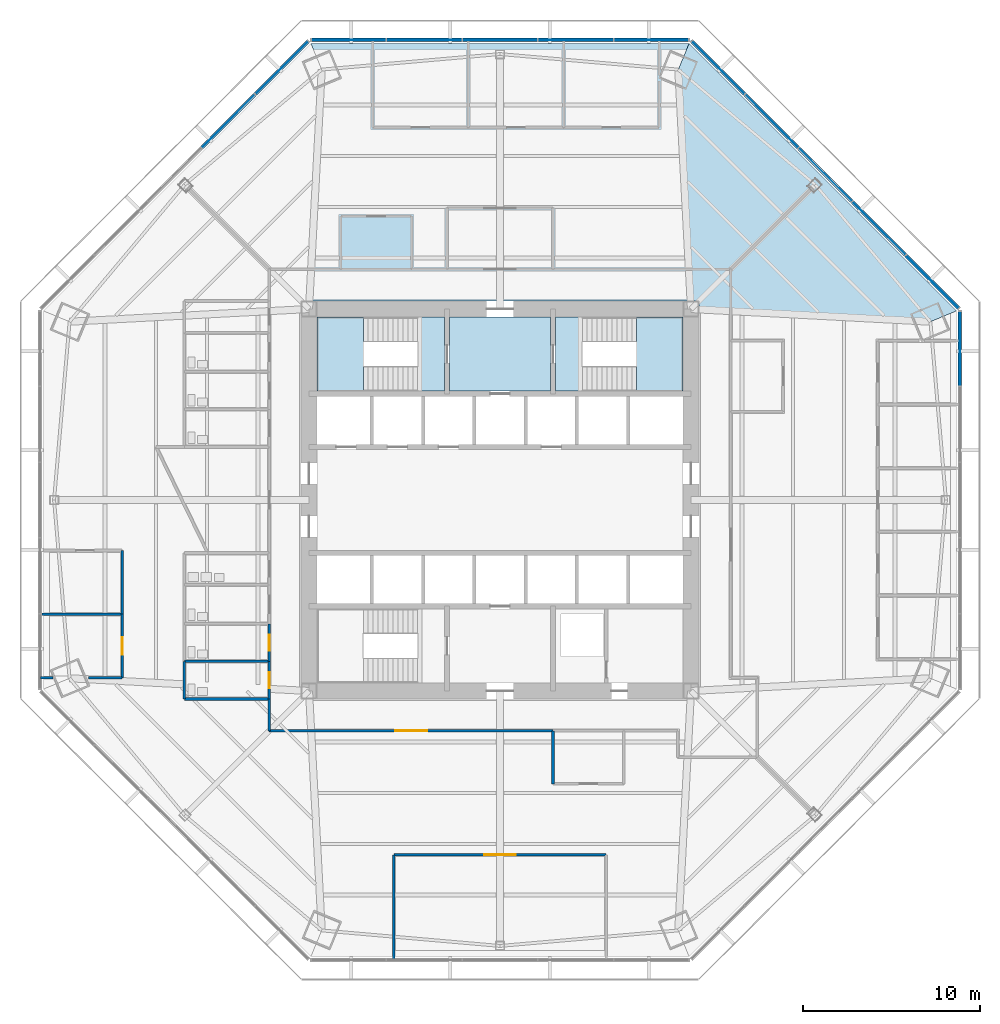
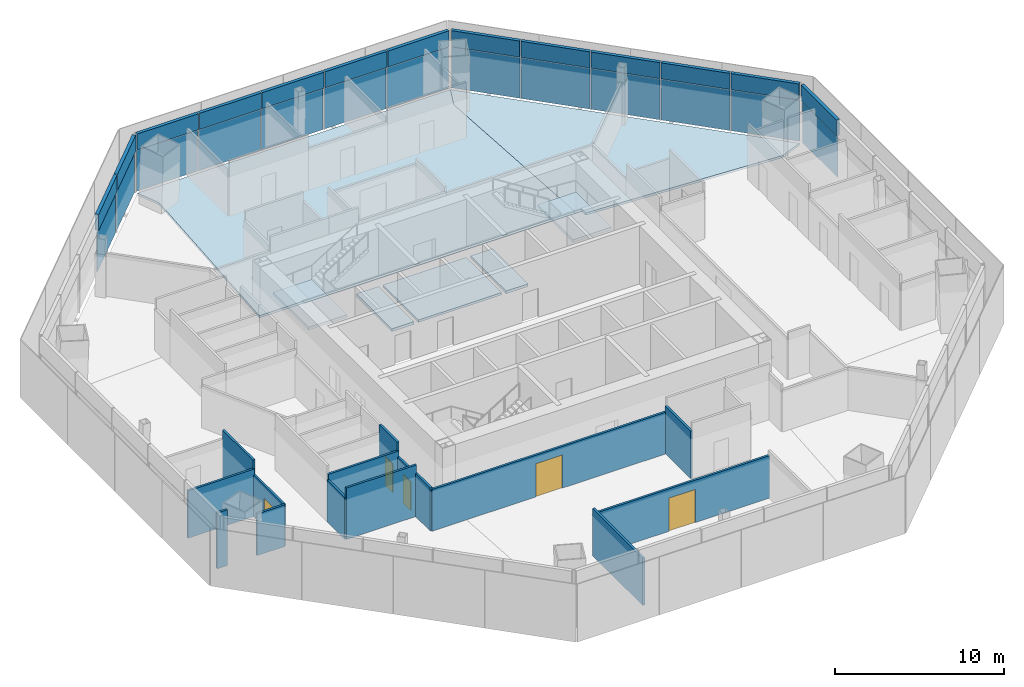
# One storey, part 8 of 15: 26 plates, 15 walls, 7 slabs, 5 doors, 5 openings, 6 elements without a shape of their own.
"""IFC4 building model written with IfcOpenShell, lengths in metres."""

from ifc_helpers import new_model, si_unit, direction, frame, frame_2d, origin, origin_2d, place, context, subcontext, project, spatial, polyline, rectangle, outline, extrude, source, transform, mapped, material, layer, layer_set, type_object, type_shapes, element, fill, aggregate, save


model = new_model("IFC4")

# Units and contexts
model_context = context("Model", 3, precision=1e-05, world=origin(), true_north=direction((0.0, 1.0)))
body_context = subcontext(model_context, "Body", "Model", "MODEL_VIEW")
ifc_project = project(units=[si_unit("LENGTHUNIT", "METRE"), si_unit("AREAUNIT", "SQUARE_METRE"), si_unit("VOLUMEUNIT", "CUBIC_METRE"), si_unit("PLANEANGLEUNIT", "RADIAN"), si_unit("MASSUNIT", "GRAM", prefix="KILO")], contexts=[model_context])

# Site, building, storey
site_placement = place(None, origin())
site = spatial("IfcSite", under=ifc_project, at=site_placement, CompositionType="ELEMENT")
building_placement = place(site_placement, origin())
building = spatial("IfcBuilding", under=site, at=building_placement, Name="Mashrafa Tower", CompositionType="ELEMENT")
storey_placement = place(building_placement, frame((0.0, 0.0, 70.800048828125)))
storey = spatial("IfcBuildingStorey", under=building, at=storey_placement, Name="L15", CompositionType="ELEMENT", Elevation=70.800048828125)

# Slabs
ifc_material_1 = material(Name="Concrete C35/45", Category="concrete")
ifc_layer_1 = layer(ifc_material_1, 0.1650390625)
ifc_layer_set_1 = layer_set([ifc_layer_1], Name="Floor slab 165")
slab_type_1 = type_object("IfcSlabType", Name="Floor slab 165", PredefinedType="FLOOR", material=ifc_layer_set_1)
slab_1_placement = place(storey_placement, frame((0.0, 0.0, -0.1650390625)))
element("IfcSlab", 1, at=slab_1_placement, inside=storey, type_object=slab_type_1, Name="Floor slab L15 north-east bay", PredefinedType="FLOOR", context=body_context, shape_type="SweptSolid", body=[
    extrude(outline(polyline([(25.811767578125, 10.691650390625), (24.33837890625, 10.081298828125), (11.25, 10.776123046875), (11.25, 11.25), (10.776123046875, 11.25), (10.081298828125, 24.33837890625), (10.691650390625, 25.811767578125), (25.811767578125, 10.691650390625)])), origin(), (0.0, 0.0, 1.0), 0.1650390625),
])
slab_2_placement = place(storey_placement, frame((0.0, 0.0, -0.1650390625)))
element("IfcSlab", 2, at=slab_2_placement, inside=storey, type_object=slab_type_1, Name="Floor slab L15 north bay", PredefinedType="FLOOR", context=body_context, shape_type="SweptSolid", body=[
    extrude(outline(polyline([(-10.691650390625, 25.811767578125), (10.691650390625, 25.811767578125), (10.691650390625, 25.811767578125), (10.081298828125, 24.33837890625), (10.776123046875, 11.25), (-10.776123046875, 11.25), (-10.081298828125, 24.33837890625), (-10.691650390625, 25.811767578125), (-10.691650390625, 25.811767578125)])), origin(), (0.0, 0.0, 1.0), 0.1650390625),
])
slab_3_placement = place(storey_placement, frame((0.0, 0.0, -0.1650390625)))
element("IfcSlab", 3, at=slab_3_placement, inside=storey, type_object=slab_type_1, Name="Core floor fire-fighting lobby north L15", PredefinedType="FLOOR", context=body_context, shape_type="SweptSolid", body=[
    extrude(outline(polyline([(-2.85009765625, 10.35009765625), (2.85009765625, 10.35009765625), (2.85009765625, 6.14990234375), (-2.85009765625, 6.14990234375), (-2.85009765625, 10.35009765625)])), origin(), (0.0, 0.0, 1.0), 0.1650390625),
])

# Stair, slabs
ifc_material_2 = material(Name="Exit stair 1400")
stair_type = type_object("IfcStairType", Name="Exit stair 1400", PredefinedType="HALF_TURN_STAIR", material=ifc_material_2)
stair_1_placement = place(storey_placement, origin())
stair_1 = element("IfcStair", 4, at=stair_1_placement, inside=storey, type_object=stair_type, Name="Stair S1 L15", PredefinedType="HALF_TURN_STAIR")
ifc_material_3 = material(Name="Concrete C32/40", Category="concrete")
ifc_layer_2 = layer(ifc_material_3, 0.199951171875)
ifc_layer_set_2 = layer_set([ifc_layer_2], Name="Stair landing 200")
slab_type_2 = type_object("IfcSlabType", Name="Stair landing 200", PredefinedType="LANDING", material=ifc_layer_set_2)
slab_4_placement = place(storey_placement, frame((0.0, 0.0, -0.199951171875)))
slab_4 = element("IfcSlab", 5, at=slab_4_placement, type_object=slab_type_2, Name="S1 landing 1", PredefinedType="LANDING", context=body_context, shape_type="SweptSolid", body=[
    extrude(outline(polyline([(-4.659912109375, 6.14990234375), (-3.14990234375, 6.14990234375), (-3.14990234375, 10.35009765625), (-4.659912109375, 10.35009765625), (-4.659912109375, 6.14990234375)])), origin(), (0.0, 0.0, 1.0), 0.199951171875),
])
slab_5_placement = place(storey_placement, frame((0.0, 0.0, 1.89990234375)))
slab_5 = element("IfcSlab", 6, at=slab_5_placement, type_object=slab_type_2, Name="S1 landing 2", PredefinedType="LANDING", context=body_context, shape_type="SweptSolid", body=[
    extrude(outline(polyline([(-10.35009765625, 6.14990234375), (-7.719970703125, 6.14990234375), (-7.719970703125, 10.35009765625), (-10.35009765625, 10.35009765625), (-10.35009765625, 6.14990234375)])), origin(), (0.0, 0.0, 1.0), 0.199951171875),
])
aggregate(stair_1, [slab_4, slab_5])

stair_2_placement = place(storey_placement, origin())
stair_2 = element("IfcStair", 7, at=stair_2_placement, inside=storey, type_object=stair_type, Name="Stair S2 L15", PredefinedType="HALF_TURN_STAIR")
slab_6_placement = place(storey_placement, frame((0.0, 0.0, -0.199951171875)))
slab_6 = element("IfcSlab", 8, at=slab_6_placement, type_object=slab_type_2, Name="S2 landing 1", PredefinedType="LANDING", context=body_context, shape_type="SweptSolid", body=[
    extrude(outline(polyline([(3.14990234375, 6.14990234375), (4.659912109375, 6.14990234375), (4.659912109375, 10.35009765625), (3.14990234375, 10.35009765625), (3.14990234375, 6.14990234375)])), origin(), (0.0, 0.0, 1.0), 0.199951171875),
])
slab_7_placement = place(storey_placement, frame((0.0, 0.0, 1.89990234375)))
slab_7 = element("IfcSlab", 9, at=slab_7_placement, type_object=slab_type_2, Name="S2 landing 2", PredefinedType="LANDING", context=body_context, shape_type="SweptSolid", body=[
    extrude(outline(polyline([(7.719970703125, 6.14990234375), (10.35009765625, 6.14990234375), (10.35009765625, 10.35009765625), (7.719970703125, 10.35009765625), (7.719970703125, 6.14990234375)])), origin(), (0.0, 0.0, 1.0), 0.199951171875),
])
aggregate(stair_2, [slab_6, slab_7])

# Curtain wall, plate
ifc_material_4 = material(Name="Unitised aluminium curtain wall", Category="aluminium")
curtain_wall_type = type_object("IfcCurtainWallType", Name="Office curtain wall, zone 1 CW-A 200 deep", PredefinedType="NOTDEFINED", material=ifc_material_4)
curtain_wall_1_placement = place(storey_placement, origin())
curtain_wall_1 = element("IfcCurtainWall", 10, at=curtain_wall_1_placement, inside=storey, type_object=curtain_wall_type, Name="Office curtain wall, zone 1 L15 east", PredefinedType="NOTDEFINED")
ifc_material_5 = material(Name="Insulated double glazing, low-e, neutral", Category="glass")
ifc_layer_3 = layer(ifc_material_5, 0.028076171875)
ifc_layer_set_3 = layer_set([ifc_layer_3], Name="Vision panel CW-A 28")
plate_type_1 = type_object("IfcPlateType", Name="Vision panel CW-A 28", PredefinedType="CURTAIN_PANEL", material=ifc_layer_set_3)
shared_shape_1 = source(origin(), body_context, "Body", "SweptSolid", [
    extrude(rectangle(XDim=4.191650390625, YDim=0.028076171875, at=origin_2d()), origin(), (0.0, 0.0, 1.0), 2.9599609375),
])
plate_1_placement = place(storey_placement, frame((26.011962890625, 8.562255859375, 0.0), z_axis=(0.0, 0.0, 1.0), x_axis=(0.0, 1.0, 0.0)))
plate_1 = element("IfcPlate", 11, at=plate_1_placement, type_object=plate_type_1, Name="CW-A vision panel 5", PredefinedType="CURTAIN_PANEL", context=body_context, shape_type="MappedRepresentation", body=[
    mapped(shared_shape_1, transform((0.0, 0.0, 0.0))),
])

# Curtain wall, plates
curtain_wall_2_placement = place(storey_placement, origin())
curtain_wall_2 = element("IfcCurtainWall", 12, at=curtain_wall_2_placement, inside=storey, type_object=curtain_wall_type, Name="Office curtain wall, zone 1 L15 north-east", PredefinedType="NOTDEFINED")
plate_2_placement = place(storey_placement, frame((24.447509765625, 12.3388671875, 0.0), z_axis=(0.0, 0.0, 1.0), x_axis=(-0.707106781187, 0.707106781187, 0.0)))
plate_2 = element("IfcPlate", 13, at=plate_2_placement, type_object=plate_type_1, Name="CW-A vision panel 1", PredefinedType="CURTAIN_PANEL", context=body_context, shape_type="MappedRepresentation", body=[
    mapped(shared_shape_1, transform((0.0, 0.0, 0.0))),
])
plate_3_placement = place(storey_placement, frame((12.3388671875, 24.447509765625, 0.0), z_axis=(0.0, 0.0, 1.0), x_axis=(-0.707106781187, 0.707106781187, 0.0)))
plate_3 = element("IfcPlate", 14, at=plate_3_placement, type_object=plate_type_1, Name="CW-A vision panel 5", PredefinedType="CURTAIN_PANEL", context=body_context, shape_type="MappedRepresentation", body=[
    mapped(shared_shape_1, transform((0.0, 0.0, 0.0))),
])

curtain_wall_3_placement = place(storey_placement, origin())
curtain_wall_3 = element("IfcCurtainWall", 15, at=curtain_wall_3_placement, inside=storey, type_object=curtain_wall_type, Name="Office curtain wall, zone 1 L15 north", PredefinedType="NOTDEFINED")
plate_4_placement = place(storey_placement, frame((8.562255859375, 26.011962890625, 0.0), z_axis=(0.0, 0.0, 1.0), x_axis=(-1.0, 0.0, 0.0)))
plate_4 = element("IfcPlate", 16, at=plate_4_placement, type_object=plate_type_1, Name="CW-A vision panel 1", PredefinedType="CURTAIN_PANEL", context=body_context, shape_type="MappedRepresentation", body=[
    mapped(shared_shape_1, transform((0.0, 0.0, 0.0))),
])
plate_5_placement = place(storey_placement, frame((-8.562255859375, 26.011962890625, 0.0), z_axis=(0.0, 0.0, 1.0), x_axis=(-1.0, 0.0, 0.0)))
plate_5 = element("IfcPlate", 17, at=plate_5_placement, type_object=plate_type_1, Name="CW-A vision panel 5", PredefinedType="CURTAIN_PANEL", context=body_context, shape_type="MappedRepresentation", body=[
    mapped(shared_shape_1, transform((0.0, 0.0, 0.0))),
])

# Curtain wall, plate
curtain_wall_4_placement = place(storey_placement, origin())
curtain_wall_4 = element("IfcCurtainWall", 18, at=curtain_wall_4_placement, inside=storey, type_object=curtain_wall_type, Name="Office curtain wall, zone 1 L15 north-west", PredefinedType="NOTDEFINED")
plate_6_placement = place(storey_placement, frame((-12.3388671875, 24.447509765625, 0.0), z_axis=(0.0, 0.0, 1.0), x_axis=(-0.707106781187, -0.707106781187, 0.0)))
plate_6 = element("IfcPlate", 19, at=plate_6_placement, type_object=plate_type_1, Name="CW-A vision panel 1", PredefinedType="CURTAIN_PANEL", context=body_context, shape_type="MappedRepresentation", body=[
    mapped(shared_shape_1, transform((0.0, 0.0, 0.0))),
])

# Plate
ifc_material_6 = material(Name="Insulated aluminium spandrel panel", Category="aluminium")
ifc_layer_4 = layer(ifc_material_6, 0.219970703125)
ifc_layer_set_4 = layer_set([ifc_layer_4], Name="Spandrel panel CW-A 220")
plate_type_2 = type_object("IfcPlateType", Name="Spandrel panel CW-A 220", PredefinedType="CURTAIN_PANEL", material=ifc_layer_set_4)
shared_shape_2 = source(origin(), body_context, "Body", "SweptSolid", [
    extrude(rectangle(XDim=4.191650390625, YDim=0.219970703125, at=origin_2d()), origin(), (0.0, 0.0, 1.0), 1.159912109375),
])
plate_7_placement = place(storey_placement, frame((26.011962890625, 8.562255859375, 3.0400390625), z_axis=(0.0, 0.0, 1.0), x_axis=(0.0, 1.0, 0.0)))
plate_7 = element("IfcPlate", 20, at=plate_7_placement, type_object=plate_type_2, Name="CW-A spandrel panel 5", PredefinedType="CURTAIN_PANEL", context=body_context, shape_type="MappedRepresentation", body=[
    mapped(shared_shape_2, transform((0.0, 0.0, 0.0))),
])

aggregate(curtain_wall_1, [plate_1, plate_7])

plate_8_placement = place(storey_placement, frame((24.447509765625, 12.3388671875, 3.0400390625), z_axis=(0.0, 0.0, 1.0), x_axis=(-0.707106781187, 0.707106781187, 0.0)))
plate_8 = element("IfcPlate", 21, at=plate_8_placement, type_object=plate_type_2, Name="CW-A spandrel panel 1", PredefinedType="CURTAIN_PANEL", context=body_context, shape_type="MappedRepresentation", body=[
    mapped(shared_shape_2, transform((0.0, 0.0, 0.0))),
])

plate_9_placement = place(storey_placement, frame((12.3388671875, 24.447509765625, 3.0400390625), z_axis=(0.0, 0.0, 1.0), x_axis=(-0.707106781187, 0.707106781187, 0.0)))
plate_9 = element("IfcPlate", 22, at=plate_9_placement, type_object=plate_type_2, Name="CW-A spandrel panel 5", PredefinedType="CURTAIN_PANEL", context=body_context, shape_type="MappedRepresentation", body=[
    mapped(shared_shape_2, transform((0.0, 0.0, 0.0))),
])

plate_10_placement = place(storey_placement, frame((8.562255859375, 26.011962890625, 3.0400390625), z_axis=(0.0, 0.0, 1.0), x_axis=(-1.0, 0.0, 0.0)))
plate_10 = element("IfcPlate", 23, at=plate_10_placement, type_object=plate_type_2, Name="CW-A spandrel panel 1", PredefinedType="CURTAIN_PANEL", context=body_context, shape_type="MappedRepresentation", body=[
    mapped(shared_shape_2, transform((0.0, 0.0, 0.0))),
])

plate_11_placement = place(storey_placement, frame((-8.562255859375, 26.011962890625, 3.0400390625), z_axis=(0.0, 0.0, 1.0), x_axis=(-1.0, 0.0, 0.0)))
plate_11 = element("IfcPlate", 24, at=plate_11_placement, type_object=plate_type_2, Name="CW-A spandrel panel 5", PredefinedType="CURTAIN_PANEL", context=body_context, shape_type="MappedRepresentation", body=[
    mapped(shared_shape_2, transform((0.0, 0.0, 0.0))),
])

plate_12_placement = place(storey_placement, frame((-12.3388671875, 24.447509765625, 3.0400390625), z_axis=(0.0, 0.0, 1.0), x_axis=(-0.707106781187, -0.707106781187, 0.0)))
plate_12 = element("IfcPlate", 25, at=plate_12_placement, type_object=plate_type_2, Name="CW-A spandrel panel 1", PredefinedType="CURTAIN_PANEL", context=body_context, shape_type="MappedRepresentation", body=[
    mapped(shared_shape_2, transform((0.0, 0.0, 0.0))),
])

shared_shape_3 = source(origin(), body_context, "Body", "SweptSolid", [
    extrude(rectangle(XDim=4.22412109375, YDim=0.028076171875, at=origin_2d()), origin(), (0.0, 0.0, 1.0), 2.9599609375),
])
type_shapes(plate_type_1, [shared_shape_1, shared_shape_3])
plate_13_placement = place(storey_placement, frame((21.426025390625, 15.3603515625, 0.0), z_axis=(0.0, 0.0, 1.0), x_axis=(-0.707106781187, 0.707106781187, 0.0)))
plate_13 = element("IfcPlate", 26, at=plate_13_placement, type_object=plate_type_1, Name="CW-A vision panel 2", PredefinedType="CURTAIN_PANEL", context=body_context, shape_type="MappedRepresentation", body=[
    mapped(shared_shape_3, transform((0.0, 0.0, 0.0))),
])

plate_14_placement = place(storey_placement, frame((18.39306640625, 18.39306640625, 0.0), z_axis=(0.0, 0.0, 1.0), x_axis=(-0.707106781187, 0.707106781187, 0.0)))
plate_14 = element("IfcPlate", 27, at=plate_14_placement, type_object=plate_type_1, Name="CW-A vision panel 3", PredefinedType="CURTAIN_PANEL", context=body_context, shape_type="MappedRepresentation", body=[
    mapped(shared_shape_3, transform((0.0, 0.0, 0.0))),
])

plate_15_placement = place(storey_placement, frame((15.3603515625, 21.426025390625, 0.0), z_axis=(0.0, 0.0, 1.0), x_axis=(-0.707106781187, 0.707106781187, 0.0)))
plate_15 = element("IfcPlate", 28, at=plate_15_placement, type_object=plate_type_1, Name="CW-A vision panel 4", PredefinedType="CURTAIN_PANEL", context=body_context, shape_type="MappedRepresentation", body=[
    mapped(shared_shape_3, transform((0.0, 0.0, 0.0))),
])

plate_16_placement = place(storey_placement, frame((4.289306640625, 26.011962890625, 0.0), z_axis=(0.0, 0.0, 1.0), x_axis=(-1.0, 0.0, 0.0)))
plate_16 = element("IfcPlate", 29, at=plate_16_placement, type_object=plate_type_1, Name="CW-A vision panel 2", PredefinedType="CURTAIN_PANEL", context=body_context, shape_type="MappedRepresentation", body=[
    mapped(shared_shape_3, transform((0.0, 0.0, 0.0))),
])

plate_17_placement = place(storey_placement, frame((0.0, 26.011962890625, 0.0), z_axis=(0.0, 0.0, 1.0), x_axis=(-1.0, 0.0, 0.0)))
plate_17 = element("IfcPlate", 30, at=plate_17_placement, type_object=plate_type_1, Name="CW-A vision panel 3", PredefinedType="CURTAIN_PANEL", context=body_context, shape_type="MappedRepresentation", body=[
    mapped(shared_shape_3, transform((0.0, 0.0, 0.0))),
])

plate_18_placement = place(storey_placement, frame((-4.289306640625, 26.011962890625, 0.0), z_axis=(0.0, 0.0, 1.0), x_axis=(-1.0, 0.0, 0.0)))
plate_18 = element("IfcPlate", 31, at=plate_18_placement, type_object=plate_type_1, Name="CW-A vision panel 4", PredefinedType="CURTAIN_PANEL", context=body_context, shape_type="MappedRepresentation", body=[
    mapped(shared_shape_3, transform((0.0, 0.0, 0.0))),
])

plate_19_placement = place(storey_placement, frame((-15.3603515625, 21.426025390625, 0.0), z_axis=(0.0, 0.0, 1.0), x_axis=(-0.707106781187, -0.707106781187, 0.0)))
plate_19 = element("IfcPlate", 32, at=plate_19_placement, type_object=plate_type_1, Name="CW-A vision panel 2", PredefinedType="CURTAIN_PANEL", context=body_context, shape_type="MappedRepresentation", body=[
    mapped(shared_shape_3, transform((0.0, 0.0, 0.0))),
])

shared_shape_4 = source(origin(), body_context, "Body", "SweptSolid", [
    extrude(rectangle(XDim=4.22412109375, YDim=0.219970703125, at=origin_2d()), origin(), (0.0, 0.0, 1.0), 1.159912109375),
])
type_shapes(plate_type_2, [shared_shape_2, shared_shape_4])
plate_20_placement = place(storey_placement, frame((21.426025390625, 15.3603515625, 3.0400390625), z_axis=(0.0, 0.0, 1.0), x_axis=(-0.707106781187, 0.707106781187, 0.0)))
plate_20 = element("IfcPlate", 33, at=plate_20_placement, type_object=plate_type_2, Name="CW-A spandrel panel 2", PredefinedType="CURTAIN_PANEL", context=body_context, shape_type="MappedRepresentation", body=[
    mapped(shared_shape_4, transform((0.0, 0.0, 0.0))),
])

plate_21_placement = place(storey_placement, frame((18.39306640625, 18.39306640625, 3.0400390625), z_axis=(0.0, 0.0, 1.0), x_axis=(-0.707106781187, 0.707106781187, 0.0)))
plate_21 = element("IfcPlate", 34, at=plate_21_placement, type_object=plate_type_2, Name="CW-A spandrel panel 3", PredefinedType="CURTAIN_PANEL", context=body_context, shape_type="MappedRepresentation", body=[
    mapped(shared_shape_4, transform((0.0, 0.0, 0.0))),
])

plate_22_placement = place(storey_placement, frame((15.3603515625, 21.426025390625, 3.0400390625), z_axis=(0.0, 0.0, 1.0), x_axis=(-0.707106781187, 0.707106781187, 0.0)))
plate_22 = element("IfcPlate", 35, at=plate_22_placement, type_object=plate_type_2, Name="CW-A spandrel panel 4", PredefinedType="CURTAIN_PANEL", context=body_context, shape_type="MappedRepresentation", body=[
    mapped(shared_shape_4, transform((0.0, 0.0, 0.0))),
])

aggregate(curtain_wall_2, [plate_2, plate_8, plate_13, plate_20, plate_14, plate_21, plate_15, plate_22, plate_3, plate_9])

plate_23_placement = place(storey_placement, frame((4.289306640625, 26.011962890625, 3.0400390625), z_axis=(0.0, 0.0, 1.0), x_axis=(-1.0, 0.0, 0.0)))
plate_23 = element("IfcPlate", 36, at=plate_23_placement, type_object=plate_type_2, Name="CW-A spandrel panel 2", PredefinedType="CURTAIN_PANEL", context=body_context, shape_type="MappedRepresentation", body=[
    mapped(shared_shape_4, transform((0.0, 0.0, 0.0))),
])

plate_24_placement = place(storey_placement, frame((0.0, 26.011962890625, 3.0400390625), z_axis=(0.0, 0.0, 1.0), x_axis=(-1.0, 0.0, 0.0)))
plate_24 = element("IfcPlate", 37, at=plate_24_placement, type_object=plate_type_2, Name="CW-A spandrel panel 3", PredefinedType="CURTAIN_PANEL", context=body_context, shape_type="MappedRepresentation", body=[
    mapped(shared_shape_4, transform((0.0, 0.0, 0.0))),
])

plate_25_placement = place(storey_placement, frame((-4.289306640625, 26.011962890625, 3.0400390625), z_axis=(0.0, 0.0, 1.0), x_axis=(-1.0, 0.0, 0.0)))
plate_25 = element("IfcPlate", 38, at=plate_25_placement, type_object=plate_type_2, Name="CW-A spandrel panel 4", PredefinedType="CURTAIN_PANEL", context=body_context, shape_type="MappedRepresentation", body=[
    mapped(shared_shape_4, transform((0.0, 0.0, 0.0))),
])

aggregate(curtain_wall_3, [plate_4, plate_10, plate_16, plate_23, plate_17, plate_24, plate_18, plate_25, plate_5, plate_11])

plate_26_placement = place(storey_placement, frame((-15.3603515625, 21.426025390625, 3.0400390625), z_axis=(0.0, 0.0, 1.0), x_axis=(-0.707106781187, -0.707106781187, 0.0)))
plate_26 = element("IfcPlate", 39, at=plate_26_placement, type_object=plate_type_2, Name="CW-A spandrel panel 2", PredefinedType="CURTAIN_PANEL", context=body_context, shape_type="MappedRepresentation", body=[
    mapped(shared_shape_4, transform((0.0, 0.0, 0.0))),
])

aggregate(curtain_wall_4, [plate_6, plate_12, plate_19, plate_26])

# Wall, opening, door
ifc_material_7 = material(Name="Gypsum board on steel studs", Category="steel")
ifc_layer_5 = layer(ifc_material_7, 0.14990234375)
ifc_layer_set_5 = layer_set([ifc_layer_5], Name="Corridor partition 150 1 hr")
wall_type_1 = type_object("IfcWallType", Name="Corridor partition 150 1 hr", PredefinedType="PARTITIONING", material=ifc_layer_set_5)
wall_1_placement = place(storey_placement, frame((-13.050048828125, -9.1240234375, 0.0), z_axis=(0.0, 0.0, 1.0), x_axis=(0.0, -1.0, 0.0)))
wall_1 = element("IfcWall", 40, at=wall_1_placement, inside=storey, type_object=wall_type_1, Name="Corridor wall L15-005", PredefinedType="PARTITIONING", context=body_context, shape_type="SweptSolid", body=[
    extrude(rectangle(XDim=2.126953125, YDim=0.14990234375, at=frame_2d((1.0634765625, 0.0))), origin(), (0.0, 0.0, 1.0), 3.01416015625),
])
opening_1_placement = place(wall_1_placement, frame((0.613525390625, 0.0, 0.0)))
opening_1 = element("IfcOpeningElement", 41, at=opening_1_placement, cuts=wall_1, Name="Opening 15.005", PredefinedType="OPENING", context=body_context, shape_type="SweptSolid", body=[
    extrude(rectangle(XDim=0.89990234375, YDim=2.10009765625, at=frame_2d((0.449951171875, 1.050048828125))), frame((0.0, 0.0849609375, 0.0), z_axis=(0.0, -1.0, 0.0), x_axis=(1.0, 0.0, 0.0)), (0.0, 0.0, 1.0), 0.169921875),
])
ifc_material_8 = material(Name="Timber door", Category="wood")
door_type_1 = type_object("IfcDoorType", Name="Toilet door 900 x 2100", OperationType="USERDEFINED", PredefinedType="DOOR", material=ifc_material_8)
door_1_placement = place(opening_1_placement, frame((0.89990234375, 0.0, 0.0), z_axis=(0.0, 0.0, 1.0), x_axis=(-1.0, 0.0, 0.0)))
door_1 = element("IfcDoor", 42, at=door_1_placement, inside=storey, type_object=door_type_1, Name="WC Female L15 S door", OperationType="SINGLE_SWING_RIGHT", OverallHeight=2.10009765625, OverallWidth=0.89990234375, PredefinedType="DOOR", context=body_context, shape_type="SweptSolid", body=[
    extrude(rectangle(XDim=0.89990234375, YDim=2.10009765625, at=frame_2d((0.449951171875, 1.050048828125))), frame((0.0, 0.02490234375, 0.0), z_axis=(0.0, -1.0, 0.0), x_axis=(1.0, 0.0, 0.0)), (0.0, 0.0, 1.0), 0.050048828125),
])
fill(opening_1, door_1)

wall_2_placement = place(storey_placement, frame((-13.050048828125, -6.9990234375, 0.0), z_axis=(0.0, 0.0, 1.0), x_axis=(0.0, -1.0, 0.0)))
wall_2 = element("IfcWall", 43, at=wall_2_placement, inside=storey, type_object=wall_type_1, Name="Corridor wall L15-006", PredefinedType="PARTITIONING", context=body_context, shape_type="SweptSolid", body=[
    extrude(rectangle(XDim=2.126953125, YDim=0.14990234375, at=frame_2d((1.0634765625, 0.0))), origin(), (0.0, 0.0, 1.0), 4.034912109375),
])
opening_2_placement = place(wall_2_placement, frame((0.613525390625, 0.0, 0.0)))
opening_2 = element("IfcOpeningElement", 44, at=opening_2_placement, cuts=wall_2, Name="Opening 15.006", PredefinedType="OPENING", context=body_context, shape_type="SweptSolid", body=[
    extrude(rectangle(XDim=0.89990234375, YDim=2.10009765625, at=frame_2d((0.449951171875, 1.050048828125))), frame((0.0, 0.0849609375, 0.0), z_axis=(0.0, -1.0, 0.0), x_axis=(1.0, 0.0, 0.0)), (0.0, 0.0, 1.0), 0.169921875),
])
door_2_placement = place(opening_2_placement, frame((0.89990234375, 0.0, 0.0), z_axis=(0.0, 0.0, 1.0), x_axis=(-1.0, 0.0, 0.0)))
door_2 = element("IfcDoor", 45, at=door_2_placement, inside=storey, type_object=door_type_1, Name="WC Male L15 S door", OperationType="SINGLE_SWING_RIGHT", OverallHeight=2.10009765625, OverallWidth=0.89990234375, PredefinedType="DOOR", context=body_context, shape_type="SweptSolid", body=[
    extrude(rectangle(XDim=0.89990234375, YDim=2.10009765625, at=frame_2d((0.449951171875, 1.050048828125))), frame((0.0, 0.02490234375, 0.0), z_axis=(0.0, -1.0, 0.0), x_axis=(1.0, 0.0, 0.0)), (0.0, 0.0, 1.0), 0.050048828125),
])
fill(opening_2, door_2)

# Wall
wall_3_placement = place(storey_placement, frame((-13.050048828125, -11.2490234375, 0.0), z_axis=(0.0, 0.0, 1.0), x_axis=(0.0, -1.0, 0.0)))
element("IfcWall", 46, at=wall_3_placement, inside=storey, type_object=wall_type_1, Name="Corridor wall L15-021", PredefinedType="PARTITIONING", context=body_context, shape_type="SweptSolid", body=[
    extrude(rectangle(XDim=1.801025390625, YDim=0.14990234375, at=frame_2d((0.900390625, 0.0))), origin(), (0.0, 0.0, 1.0), 3.113037109375),
])

# Wall, opening, door
wall_4_placement = place(storey_placement, frame((-13.050048828125, -13.050048828125, 0.0), z_axis=(0.0, 0.0, 1.0), x_axis=(1.0, 0.0, 0.0)))
wall_4 = element("IfcWall", 47, at=wall_4_placement, inside=storey, type_object=wall_type_1, Name="Corridor wall L15-022", PredefinedType="PARTITIONING", context=body_context, shape_type="SweptSolid", body=[
    extrude(rectangle(XDim=16.051025390625, YDim=0.14990234375, at=frame_2d((8.025390625, 0.0))), origin(), (0.0, 0.0, 1.0), 3.01416015625),
])
opening_3_placement = place(wall_4_placement, frame((7.12548828125, 0.0, 0.0)))
opening_3 = element("IfcOpeningElement", 48, at=opening_3_placement, cuts=wall_4, Name="Opening 15.027", PredefinedType="OPENING", context=body_context, shape_type="SweptSolid", body=[
    extrude(rectangle(XDim=1.800048828125, YDim=2.39990234375, at=frame_2d((0.89990234375, 1.199951171875))), frame((0.0, 0.0849609375, 0.0), z_axis=(0.0, -1.0, 0.0), x_axis=(1.0, 0.0, 0.0)), (0.0, 0.0, 1.0), 0.169921875),
])
ifc_material_9 = material(Name="Timber door", Category="wood")
door_type_2 = type_object("IfcDoorType", Name="Door pair 1800 x 2400", OperationType="DOUBLE_DOOR_SINGLE_SWING", PredefinedType="DOOR", material=ifc_material_9)
door_3_placement = place(opening_3_placement, origin())
door_3 = element("IfcDoor", 49, at=door_3_placement, inside=storey, type_object=door_type_2, Name="Office Tenancy 15-S door", OperationType="DOUBLE_DOOR_SINGLE_SWING", OverallHeight=2.39990234375, OverallWidth=1.800048828125, PredefinedType="DOOR", context=body_context, shape_type="SweptSolid", body=[
    extrude(rectangle(XDim=1.800048828125, YDim=2.39990234375, at=frame_2d((0.89990234375, 1.199951171875))), frame((0.0, 0.02490234375, 0.0), z_axis=(0.0, -1.0, 0.0), x_axis=(1.0, 0.0, 0.0)), (0.0, 0.0, 1.0), 0.050048828125),
])
fill(opening_3, door_3)

# Walls
ifc_material_10 = material(Name="Gypsum board on steel studs", Category="steel")
ifc_layer_6 = layer(ifc_material_10, 0.14990234375)
ifc_layer_set_6 = layer_set([ifc_layer_6], Name="Partition 150")
wall_type_2 = type_object("IfcWallType", Name="Partition 150", PredefinedType="PARTITIONING", material=ifc_layer_set_6)
wall_5_placement = place(storey_placement, frame((-13.050048828125, -9.125, 0.0), z_axis=(0.0, 0.0, 1.0), x_axis=(-1.0, 0.0, 0.0)))
element("IfcWall", 50, at=wall_5_placement, inside=storey, type_object=wall_type_2, Name="Partition wall L15-036", PredefinedType="PARTITIONING", context=body_context, shape_type="SweptSolid", body=[
    extrude(rectangle(XDim=4.800048828125, YDim=0.14990234375, at=frame_2d((2.39990234375, 0.0))), origin(), (0.0, 0.0, 1.0), 3.4228515625),
])
wall_6_placement = place(storey_placement, frame((-17.85009765625, -9.125, 0.0), z_axis=(0.0, 0.0, 1.0), x_axis=(0.0, -1.0, 0.0)))
element("IfcWall", 51, at=wall_6_placement, inside=storey, type_object=wall_type_2, Name="Partition wall L15-037", PredefinedType="PARTITIONING", context=body_context, shape_type="SweptSolid", body=[
    extrude(rectangle(XDim=2.125, YDim=0.14990234375, at=frame_2d((1.0625, 0.0))), origin(), (0.0, 0.0, 1.0), 3.01416015625),
])
wall_7_placement = place(storey_placement, frame((-17.85009765625, -11.25, 0.0), z_axis=(0.0, 0.0, 1.0), x_axis=(1.0, 0.0, 0.0)))
element("IfcWall", 52, at=wall_7_placement, inside=storey, type_object=wall_type_2, Name="Partition wall L15-038", PredefinedType="PARTITIONING", context=body_context, shape_type="SweptSolid", body=[
    extrude(rectangle(XDim=4.800048828125, YDim=0.14990234375, at=frame_2d((2.39990234375, 0.0))), origin(), (0.0, 0.0, 1.0), 3.715087890625),
])

# Wall, opening, door
wall_8_placement = place(storey_placement, frame((6.0, -20.06201171875, 0.0), z_axis=(0.0, 0.0, 1.0), x_axis=(-1.0, 0.0, 0.0)))
wall_8 = element("IfcWall", 53, at=wall_8_placement, inside=storey, type_object=wall_type_2, Name="Partition wall L15-058", PredefinedType="PARTITIONING", context=body_context, shape_type="SweptSolid", body=[
    extrude(rectangle(XDim=12.0, YDim=0.14990234375, at=frame_2d((6.0, 0.0))), origin(), (0.0, 0.0, 1.0), 3.06494140625),
])
opening_4_placement = place(wall_8_placement, frame((5.10009765625, 0.0, 0.0)))
opening_4 = element("IfcOpeningElement", 54, at=opening_4_placement, cuts=wall_8, Name="Opening 15.013", PredefinedType="OPENING", context=body_context, shape_type="SweptSolid", body=[
    extrude(rectangle(XDim=1.800048828125, YDim=2.39990234375, at=frame_2d((0.89990234375, 1.199951171875))), frame((0.0, 0.0849609375, 0.0), z_axis=(0.0, -1.0, 0.0), x_axis=(1.0, 0.0, 0.0)), (0.0, 0.0, 1.0), 0.169921875),
])
door_4_placement = place(opening_4_placement, origin())
door_4 = element("IfcDoor", 55, at=door_4_placement, inside=storey, type_object=door_type_2, Name="Meeting Room 15-S door", OperationType="DOUBLE_DOOR_SINGLE_SWING", OverallHeight=2.39990234375, OverallWidth=1.800048828125, PredefinedType="DOOR", context=body_context, shape_type="SweptSolid", body=[
    extrude(rectangle(XDim=1.800048828125, YDim=2.39990234375, at=frame_2d((0.89990234375, 1.199951171875))), frame((0.0, 0.02490234375, 0.0), z_axis=(0.0, -1.0, 0.0), x_axis=(1.0, 0.0, 0.0)), (0.0, 0.0, 1.0), 0.050048828125),
])
fill(opening_4, door_4)

# Walls
wall_9_placement = place(storey_placement, frame((-6.0, -20.06201171875, 0.0), z_axis=(0.0, 0.0, 1.0), x_axis=(0.0, -1.0, 0.0)))
element("IfcWall", 56, at=wall_9_placement, inside=storey, type_object=wall_type_2, Name="Partition wall L15-059", PredefinedType="PARTITIONING", context=body_context, shape_type="SweptSolid", body=[
    extrude(rectangle(XDim=5.931884765625, YDim=0.14990234375, at=frame_2d((2.9658203125, 0.0))), origin(), (0.0, 0.0, 1.0), 3.4228515625),
])
wall_10_placement = place(storey_placement, frame((3.0, -13.050048828125, 0.0), z_axis=(0.0, 0.0, 1.0), x_axis=(0.0, -1.0, 0.0)))
element("IfcWall", 57, at=wall_10_placement, inside=storey, type_object=wall_type_2, Name="Partition wall L15-060", PredefinedType="PARTITIONING", context=body_context, shape_type="SweptSolid", body=[
    extrude(rectangle(XDim=3.0, YDim=0.14990234375, at=frame_2d((1.5, 0.0))), origin(), (0.0, 0.0, 1.0), 3.4228515625),
])
wall_11_placement = place(storey_placement, frame((-25.906982421875, -6.455078125, 0.0), z_axis=(0.0, 0.0, 1.0), x_axis=(1.0, 0.0, 0.0)))
element("IfcWall", 58, at=wall_11_placement, inside=storey, type_object=wall_type_2, Name="Partition wall L15-084", PredefinedType="PARTITIONING", context=body_context, shape_type="SweptSolid", body=[
    extrude(rectangle(XDim=4.545166015625, YDim=0.14990234375, at=frame_2d((2.2724609375, 0.0))), origin(), (0.0, 0.0, 1.0), 3.4228515625),
])
wall_12_placement = place(storey_placement, frame((-21.36181640625, -6.455078125, 0.0), z_axis=(0.0, 0.0, 1.0), x_axis=(0.0, 1.0, 0.0)))
element("IfcWall", 59, at=wall_12_placement, inside=storey, type_object=wall_type_2, Name="Partition wall L15-085", PredefinedType="PARTITIONING", context=body_context, shape_type="SweptSolid", body=[
    extrude(rectangle(XDim=3.60009765625, YDim=0.14990234375, at=frame_2d((1.800048828125, 0.0))), origin(), (0.0, 0.0, 1.0), 4.034912109375),
])
wall_13_placement = place(storey_placement, frame((-25.993896484375, -10.054931640625, 0.0), z_axis=(0.0, 0.0, 1.0), x_axis=(1.0, 0.0, 0.0)))
element("IfcWall", 60, at=wall_13_placement, inside=storey, type_object=wall_type_2, Name="Partition wall L15-087", PredefinedType="PARTITIONING", context=body_context, shape_type="SweptSolid", body=[
    extrude(rectangle(XDim=0.708984375, YDim=0.14990234375, at=frame_2d((0.3544921875, 0.0))), origin(), (0.0, 0.0, 1.0), 4.034912109375),
])
wall_14_placement = place(storey_placement, frame((-23.263427734375, -10.054931640625, 0.0), z_axis=(0.0, 0.0, 1.0), x_axis=(1.0, 0.0, 0.0)))
element("IfcWall", 61, at=wall_14_placement, inside=storey, type_object=wall_type_2, Name="Partition wall L15-088", PredefinedType="PARTITIONING", context=body_context, shape_type="SweptSolid", body=[
    extrude(rectangle(XDim=1.901611328125, YDim=0.14990234375, at=frame_2d((0.95068359375, 0.0))), origin(), (0.0, 0.0, 1.0), 3.01416015625),
])

# Wall, opening, door
wall_15_placement = place(storey_placement, frame((-21.36181640625, -10.054931640625, 0.0), z_axis=(0.0, 0.0, 1.0), x_axis=(0.0, 1.0, 0.0)))
wall_15 = element("IfcWall", 62, at=wall_15_placement, inside=storey, type_object=wall_type_2, Name="Partition wall L15-089", PredefinedType="PARTITIONING", context=body_context, shape_type="SweptSolid", body=[
    extrude(rectangle(XDim=3.599853515625, YDim=0.14990234375, at=frame_2d((1.7998046875, 0.0))), origin(), (0.0, 0.0, 1.0), 3.01416015625),
])
opening_5_placement = place(wall_15_placement, frame((1.300048828125, 0.0, 0.0)))
opening_5 = element("IfcOpeningElement", 63, at=opening_5_placement, cuts=wall_15, Name="Opening 15.024", PredefinedType="OPENING", context=body_context, shape_type="SweptSolid", body=[
    extrude(rectangle(XDim=1.0, YDim=2.10009765625, at=frame_2d((0.5, 1.050048828125))), frame((0.0, 0.0849609375, 0.0), z_axis=(0.0, -1.0, 0.0), x_axis=(1.0, 0.0, 0.0)), (0.0, 0.0, 1.0), 0.169921875),
])
ifc_material_11 = material(Name="Timber door", Category="wood")
door_type_3 = type_object("IfcDoorType", Name="Door 1000 x 2100", OperationType="USERDEFINED", PredefinedType="DOOR", material=ifc_material_11)
door_5_placement = place(opening_5_placement, origin())
door_5 = element("IfcDoor", 64, at=door_5_placement, inside=storey, type_object=door_type_3, Name="Office 15-S-2 door", OperationType="SINGLE_SWING_LEFT", OverallHeight=2.10009765625, OverallWidth=1.0, PredefinedType="DOOR", context=body_context, shape_type="SweptSolid", body=[
    extrude(rectangle(XDim=1.0, YDim=2.10009765625, at=frame_2d((0.5, 1.050048828125))), frame((0.0, 0.02490234375, 0.0), z_axis=(0.0, -1.0, 0.0), x_axis=(1.0, 0.0, 0.0)), (0.0, 0.0, 1.0), 0.050048828125),
])
fill(opening_5, door_5)

save(model, "model.ifc")
